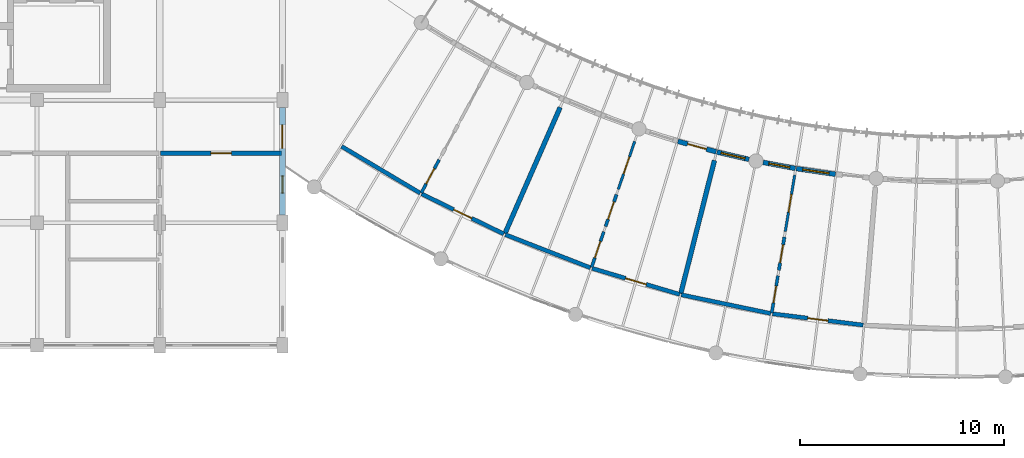
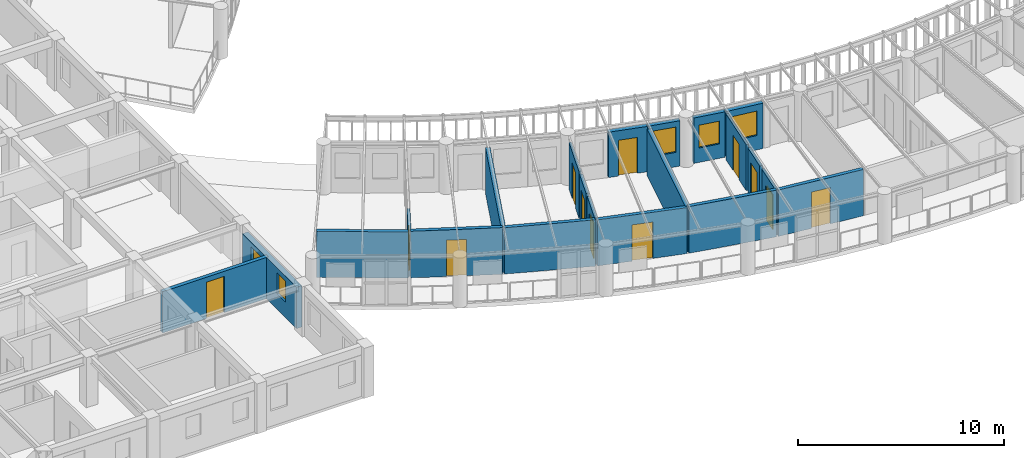
# One storey, part 57 of 100: 21 walls, 13 doors, 4 windows, 17 openings.
"""IFC4 building model written with IfcOpenShell, lengths in metres."""

from ifc_helpers import new_model, si_unit, direction, frame, frame_2d, origin, place, context, subcontext, project, spatial, rectangle, extrude, material, layer, layer_set, type_object, element, fill, save


model = new_model("IFC4")

# Units and contexts
model_context = context("Model", 3, precision=1e-05, world=origin(), true_north=direction((0.0, 1.0)))
body_context = subcontext(model_context, "Body", "Model", "MODEL_VIEW")
ifc_project = project(units=[si_unit("LENGTHUNIT", "METRE"), si_unit("AREAUNIT", "SQUARE_METRE"), si_unit("VOLUMEUNIT", "CUBIC_METRE"), si_unit("PLANEANGLEUNIT", "RADIAN"), si_unit("MASSUNIT", "GRAM", prefix="KILO"), si_unit("POWERUNIT", "WATT"), si_unit("THERMODYNAMICTEMPERATUREUNIT", "KELVIN")], contexts=[model_context])

# Site, building, storey
site_placement = place(None, origin())
site = spatial("IfcSite", under=ifc_project, at=site_placement, CompositionType="ELEMENT")
building_placement = place(site_placement, origin())
building = spatial("IfcBuilding", under=site, at=building_placement, Name="Ruvembo Vaulted Housing Court", CompositionType="ELEMENT")
storey_placement = place(building_placement, frame((0.0, 0.0, 10.89990234375)))
storey = spatial("IfcBuildingStorey", under=building, at=storey_placement, Name="L03", CompositionType="ELEMENT", Elevation=10.89990234375)

# Wall, opening, door
ifc_material_1 = material(Name="Concrete Blockwork 200", Category="masonry")
ifc_layer_1 = layer(ifc_material_1, 0.199951171875, Name="Concrete Blockwork 200")
ifc_layer_set_1 = layer_set([ifc_layer_1], Name="Concrete Blockwork 200")
wall_type_1 = type_object("IfcWallType", Name="WL-CORR-200", PredefinedType="SOLIDWALL", material=ifc_layer_set_1)
wall_1_placement = place(storey_placement, frame((30.0400390625, 15.39990234375, 0.0), z_axis=(0.0, 0.0, 1.0), x_axis=(1.0, 0.0, 0.0)))
wall_1 = element("IfcWall", 1, at=wall_1_placement, inside=storey, type_object=wall_type_1, Name="L03 Flat A-L03-S4 Entrance WL-INT-L03-00800", PredefinedType="SOLIDWALL", context=body_context, shape_type="SweptSolid", body=[
    extrude(rectangle(XDim=5.919921875, YDim=0.199951171875, at=frame_2d((2.9599609375, 0.0))), origin(), (0.0, 0.0, 1.0), 2.442138671875),
])
opening_1_placement = place(wall_1_placement, frame((2.4599609375, 0.0, 0.0)))
opening_1 = element("IfcOpeningElement", 2, at=opening_1_placement, cuts=wall_1, Name="Opening FD1", PredefinedType="OPENING", context=body_context, shape_type="SweptSolid", body=[
    extrude(rectangle(XDim=1.0, YDim=2.14990234375, at=frame_2d((0.5, 1.074951171875))), frame((0.0, 0.10986328125, 0.0), z_axis=(0.0, -1.0, 0.0), x_axis=(1.0, 0.0, 0.0)), (0.0, 0.0, 1.0), 0.219970703125),
])
ifc_material_2 = material(Name="FSC Hardwood and Engineered Timber", Category="wood")
door_type_1 = type_object("IfcDoorType", Name="DR-FLAT-1000x2150", OperationType="NOTDEFINED", PredefinedType="DOOR", material=ifc_material_2)
door_1_placement = place(opening_1_placement, origin())
door_1 = element("IfcDoor", 3, at=door_1_placement, inside=storey, type_object=door_type_1, Name="L03 Flat A-L03-S4 Entrance Door DR-INT-L03-00444", OperationType="SINGLE_SWING_RIGHT", OverallHeight=2.14990234375, OverallWidth=1.0, PredefinedType="DOOR", context=body_context, shape_type="SweptSolid", body=[
    extrude(rectangle(XDim=1.0, YDim=2.14990234375, at=frame_2d((0.5, 1.074951171875))), frame((0.0, 0.02490234375, 0.0), z_axis=(0.0, -1.0, 0.0), x_axis=(1.0, 0.0, 0.0)), (0.0, 0.0, 1.0), 0.050048828125),
])
fill(opening_1, door_1)

# Wall
wall_2_placement = place(storey_placement, frame((38.89697265625, 15.732666015625, 0.0), z_axis=(0.0, 0.0, 1.0), x_axis=(0.859614290038, -0.510943511909, 0.0)))
element("IfcWall", 4, at=wall_2_placement, inside=storey, type_object=wall_type_1, Name="L03 Suite SC2-L03-U1 Gallery Wall WL-INT-L03-01004", PredefinedType="SOLIDWALL", context=body_context, shape_type="SweptSolid", body=[
    extrude(rectangle(XDim=4.472900390625, YDim=0.199951171875, at=frame_2d((2.236328125, 0.0))), origin(), (0.0, 0.0, 1.0), 2.72216796875),
])

# Wall, opening, door
wall_3_placement = place(storey_placement, frame((42.8125, 13.4091796875, 0.0), z_axis=(0.0, 0.0, 1.0), x_axis=(0.898794149603, -0.438370934985, 0.0)))
wall_3 = element("IfcWall", 5, at=wall_3_placement, inside=storey, type_object=wall_type_1, Name="L03 Suite SC2-L03-U1 Entrance WL-INT-L03-01005", PredefinedType="SOLIDWALL", context=body_context, shape_type="SweptSolid", body=[
    extrude(rectangle(XDim=4.47265625, YDim=0.199951171875, at=frame_2d((2.236328125, 0.0))), origin(), (0.0, 0.0, 1.0), 2.76220703125),
])
opening_2_placement = place(wall_3_placement, frame((1.74658203125, 0.0, 0.0)))
opening_2 = element("IfcOpeningElement", 6, at=opening_2_placement, cuts=wall_3, Name="Opening FD2", PredefinedType="OPENING", context=body_context, shape_type="SweptSolid", body=[
    extrude(rectangle(XDim=0.97998046875, YDim=2.14990234375, at=frame_2d((0.489990234375, 1.074951171875))), frame((0.0, 0.10986328125, 0.0), z_axis=(0.0, -1.0, 0.0), x_axis=(1.0, 0.0, 0.0)), (0.0, 0.0, 1.0), 0.219970703125),
])
door_type_2 = type_object("IfcDoorType", Name="DR-FLAT-0980x2150", OperationType="NOTDEFINED", PredefinedType="DOOR", material=ifc_material_2)
door_2_placement = place(opening_2_placement, origin())
door_2 = element("IfcDoor", 7, at=door_2_placement, inside=storey, type_object=door_type_2, Name="L03 Suite SC2-L03-U1 Entrance Door DR-INT-L03-00556", OperationType="SINGLE_SWING_RIGHT", OverallHeight=2.14990234375, OverallWidth=0.97998046875, PredefinedType="DOOR", context=body_context, shape_type="SweptSolid", body=[
    extrude(rectangle(XDim=0.97998046875, YDim=2.14990234375, at=frame_2d((0.489990234375, 1.074951171875))), frame((0.0, 0.02490234375, 0.0), z_axis=(0.0, -1.0, 0.0), x_axis=(1.0, 0.0, 0.0)), (0.0, 0.0, 1.0), 0.050048828125),
])
fill(opening_2, door_2)

# Wall
wall_4_placement = place(storey_placement, frame((46.906005859375, 11.41650390625, 0.0), z_axis=(0.0, 0.0, 1.0), x_axis=(0.931847867525, -0.362849213571, 0.0)))
element("IfcWall", 8, at=wall_4_placement, inside=storey, type_object=wall_type_1, Name="L03 Suite SC2-L03-U2 Gallery Wall WL-INT-L03-01010", PredefinedType="SOLIDWALL", context=body_context, shape_type="SweptSolid", body=[
    extrude(rectangle(XDim=4.47314453125, YDim=0.199951171875, at=frame_2d((2.236572265625, 0.0))), origin(), (0.0, 0.0, 1.0), 2.7421875),
])

# Wall, opening, door
wall_5_placement = place(storey_placement, frame((51.14990234375, 9.767578125, 0.0), z_axis=(0.0, 0.0, 1.0), x_axis=(0.958602413557, -0.28474798107, 0.0)))
wall_5 = element("IfcWall", 9, at=wall_5_placement, inside=storey, type_object=wall_type_1, Name="L03 Suite SC2-L03-U2 Entrance WL-INT-L03-01011", PredefinedType="SOLIDWALL", context=body_context, shape_type="SweptSolid", body=[
    extrude(rectangle(XDim=4.472900390625, YDim=0.199951171875, at=frame_2d((2.236328125, 0.0))), origin(), (0.0, 0.0, 1.0), 2.72216796875),
])
opening_3_placement = place(wall_5_placement, frame((1.71142578125, 0.0, 0.0)))
opening_3 = element("IfcOpeningElement", 10, at=opening_3_placement, cuts=wall_5, Name="Opening FD3", PredefinedType="OPENING", context=body_context, shape_type="SweptSolid", body=[
    extrude(rectangle(XDim=1.050048828125, YDim=2.14990234375, at=frame_2d((0.52490234375, 1.074951171875))), frame((0.0, 0.10986328125, 0.0), z_axis=(0.0, -1.0, 0.0), x_axis=(1.0, 0.0, 0.0)), (0.0, 0.0, 1.0), 0.219970703125),
])
door_type_3 = type_object("IfcDoorType", Name="DR-FLAT-1050x2150", OperationType="NOTDEFINED", PredefinedType="DOOR", material=ifc_material_2)
door_3_placement = place(opening_3_placement, origin())
door_3 = element("IfcDoor", 11, at=door_3_placement, inside=storey, type_object=door_type_3, Name="L03 Suite SC2-L03-U2 Entrance Door DR-INT-L03-00560", OperationType="SINGLE_SWING_RIGHT", OverallHeight=2.14990234375, OverallWidth=1.050048828125, PredefinedType="DOOR", context=body_context, shape_type="SweptSolid", body=[
    extrude(rectangle(XDim=1.050048828125, YDim=2.14990234375, at=frame_2d((0.52490234375, 1.074951171875))), frame((0.0, 0.02490234375, 0.0), z_axis=(0.0, -1.0, 0.0), x_axis=(1.0, 0.0, 0.0)), (0.0, 0.0, 1.0), 0.050048828125),
])
fill(opening_3, door_3)

# Wall
wall_6_placement = place(storey_placement, frame((55.51513671875, 8.47412109375, 0.0), z_axis=(0.0, 0.0, 1.0), x_axis=(0.978806148413, -0.204788973894, 0.0)))
element("IfcWall", 12, at=wall_6_placement, inside=storey, type_object=wall_type_1, Name="L03 Suite SC2-L03-U3 Gallery Wall WL-INT-L03-01016", PredefinedType="SOLIDWALL", context=body_context, shape_type="SweptSolid", body=[
    extrude(rectangle(XDim=4.472900390625, YDim=0.199951171875, at=frame_2d((2.236328125, 0.0))), origin(), (0.0, 0.0, 1.0), 2.76220703125),
])

# Wall, opening, door
wall_7_placement = place(storey_placement, frame((59.97216796875, 7.544921875, 0.0), z_axis=(0.0, 0.0, 1.0), x_axis=(0.992349920368, -0.123457019023, 0.0)))
wall_7 = element("IfcWall", 13, at=wall_7_placement, inside=storey, type_object=wall_type_1, Name="L03 Suite SC2-L03-U3 Entrance WL-INT-L03-01017", PredefinedType="SOLIDWALL", context=body_context, shape_type="SweptSolid", body=[
    extrude(rectangle(XDim=4.47314453125, YDim=0.199951171875, at=frame_2d((2.236572265625, 0.0))), origin(), (0.0, 0.0, 1.0), 2.7421875),
])
opening_4_placement = place(wall_7_placement, frame((1.736572265625, 0.0, 0.0)))
opening_4 = element("IfcOpeningElement", 14, at=opening_4_placement, cuts=wall_7, Name="Opening FD1", PredefinedType="OPENING", context=body_context, shape_type="SweptSolid", body=[
    extrude(rectangle(XDim=1.0, YDim=2.14990234375, at=frame_2d((0.5, 1.074951171875))), frame((0.0, 0.10986328125, 0.0), z_axis=(0.0, -1.0, 0.0), x_axis=(1.0, 0.0, 0.0)), (0.0, 0.0, 1.0), 0.219970703125),
])
door_4_placement = place(opening_4_placement, origin())
door_4 = element("IfcDoor", 15, at=door_4_placement, inside=storey, type_object=door_type_1, Name="L03 Suite SC2-L03-U3 Entrance Door DR-INT-L03-00564", OperationType="SINGLE_SWING_RIGHT", OverallHeight=2.14990234375, OverallWidth=1.0, PredefinedType="DOOR", context=body_context, shape_type="SweptSolid", body=[
    extrude(rectangle(XDim=1.0, YDim=2.14990234375, at=frame_2d((0.5, 1.074951171875))), frame((0.0, 0.02490234375, 0.0), z_axis=(0.0, -1.0, 0.0), x_axis=(1.0, 0.0, 0.0)), (0.0, 0.0, 1.0), 0.050048828125),
])
fill(opening_4, door_4)

# Walls
ifc_material_3 = material(Name="Acoustic Masonry Demising 230", Category="masonry")
ifc_layer_2 = layer(ifc_material_3, 0.22998046875, Name="Acoustic Masonry Demising 230")
ifc_layer_set_2 = layer_set([ifc_layer_2], Name="Acoustic Masonry Demising 230")
wall_type_2 = type_object("IfcWallType", Name="WL-DEM-230", PredefinedType="SOLIDWALL", material=ifc_layer_set_2)
wall_8_placement = place(storey_placement, frame((49.585205078125, 17.638427734375, 0.0), z_axis=(0.0, 0.0, 1.0), x_axis=(-0.400932910895, -0.916107417807, 0.0)))
element("IfcWall", 16, at=wall_8_placement, inside=storey, type_object=wall_type_2, Name="L03 Suite SC2-L03-U1 Demising WL-INT-L03-01009", PredefinedType="SOLIDWALL", context=body_context, shape_type="SweptSolid", body=[
    extrude(rectangle(XDim=6.736083984375, YDim=0.22998046875, at=frame_2d((3.3681640625, 0.0))), origin(), (0.0, 0.0, 1.0), 2.72216796875),
])
wall_9_placement = place(storey_placement, frame((57.135986328125, 15.0517578125, 0.0), z_axis=(0.0, 0.0, 1.0), x_axis=(-0.244982481903, -0.969527505314, 0.0)))
element("IfcWall", 17, at=wall_9_placement, inside=storey, type_object=wall_type_2, Name="L03 Suite SC2-L03-U2 Demising WL-INT-L03-01015", PredefinedType="SOLIDWALL", context=body_context, shape_type="SweptSolid", body=[
    extrude(rectangle(XDim=6.73583984375, YDim=0.22998046875, at=frame_2d((3.367919921875, 0.0))), origin(), (0.0, 0.0, 1.0), 2.7421875),
])

# Wall, opening, door
ifc_material_4 = material(Name="Rendered Masonry 235", Category="masonry")
ifc_layer_3 = layer(ifc_material_4, 0.235107421875, Name="Rendered Masonry 235")
ifc_layer_set_3 = layer_set([ifc_layer_3], Name="Rendered Masonry 235")
wall_type_3 = type_object("IfcWallType", Name="WL-EXT-235", PredefinedType="STANDARD", material=ifc_layer_set_3)
wall_10_placement = place(storey_placement, frame((55.35009765625, 15.982177734375, 0.0), z_axis=(0.0, 0.0, 1.0), x_axis=(0.964271323293, -0.264916619098, 0.0)))
wall_10 = element("IfcWall", 18, at=wall_10_placement, inside=storey, type_object=wall_type_3, Name="Scoop SC2 L03 Concave Balcony Wall 7", PredefinedType="STANDARD", context=body_context, shape_type="SweptSolid", body=[
    extrude(rectangle(XDim=1.93994140625, YDim=0.235107421875, at=frame_2d((0.969970703125, 0.0))), origin(), (0.0, 0.0, 1.0), 2.68408203125),
])
opening_5_placement = place(wall_10_placement, frame((0.4951171875, 0.0, 0.0)))
opening_5 = element("IfcOpeningElement", 19, at=opening_5_placement, cuts=wall_10, Name="Opening BD0", PredefinedType="OPENING", context=body_context, shape_type="SweptSolid", body=[
    extrude(rectangle(XDim=0.949951171875, YDim=2.1201171875, at=frame_2d((0.47509765625, 1.06005859375))), frame((0.0, 0.12744140625, 0.0), z_axis=(0.0, -1.0, 0.0), x_axis=(1.0, 0.0, 0.0)), (0.0, 0.0, 1.0), 0.255126953125),
])
ifc_material_5 = material(Name="Thermally Broken Glazed Aluminium", Category="aluminium")
door_type_4 = type_object("IfcDoorType", Name="DR-BAL-0950x2120", OperationType="NOTDEFINED", PredefinedType="DOOR", material=ifc_material_5)
door_5_placement = place(opening_5_placement, origin())
door_5 = element("IfcDoor", 20, at=door_5_placement, inside=storey, type_object=door_type_4, Name="Scoop SC2 L03 Balcony Door 7", OperationType="SINGLE_SWING_LEFT", OverallHeight=2.1201171875, OverallWidth=0.949951171875, PredefinedType="DOOR", context=body_context, shape_type="SweptSolid", body=[
    extrude(rectangle(XDim=0.949951171875, YDim=2.1201171875, at=frame_2d((0.47509765625, 1.06005859375))), frame((0.0, 0.02490234375, 0.0), z_axis=(0.0, -1.0, 0.0), x_axis=(1.0, 0.0, 0.0)), (0.0, 0.0, 1.0), 0.050048828125),
])
fill(opening_5, door_5)

# Wall, opening, window
wall_11_placement = place(storey_placement, frame((57.259521484375, 15.45849609375, 0.0), z_axis=(0.0, 0.0, 1.0), x_axis=(0.974355406192, -0.225014538249, 0.0)))
wall_11 = element("IfcWall", 21, at=wall_11_placement, inside=storey, type_object=wall_type_3, Name="Scoop SC2 L03 Concave Balcony Wall 8", PredefinedType="STANDARD", context=body_context, shape_type="SweptSolid", body=[
    extrude(rectangle(XDim=1.610107421875, YDim=0.235107421875, at=frame_2d((0.80517578125, 0.0))), origin(), (0.0, 0.0, 1.0), 2.68408203125),
])
opening_6_placement = place(wall_11_placement, frame((0.205078125, 0.0, 0.85009765625)))
opening_6 = element("IfcOpeningElement", 22, at=opening_6_placement, cuts=wall_11, Name="Opening W14", PredefinedType="OPENING", context=body_context, shape_type="SweptSolid", body=[
    extrude(rectangle(XDim=1.199951171875, YDim=1.5, at=frame_2d((0.60009765625, 0.75))), frame((0.0, 0.12744140625, 0.0), z_axis=(0.0, -1.0, 0.0), x_axis=(1.0, 0.0, 0.0)), (0.0, 0.0, 1.0), 0.255126953125),
])
ifc_material_6 = material(Name="Double Solar-Control Glazing in Aluminium Frame", Category="aluminium")
window_type_1 = type_object("IfcWindowType", Name="WIN-1200x1500", PartitioningType="SINGLE_PANEL", PredefinedType="WINDOW", material=ifc_material_6)
window_1_placement = place(opening_6_placement, origin())
window_1 = element("IfcWindow", 23, at=window_1_placement, inside=storey, type_object=window_type_1, Name="Scoop SC2 L03 Concave Window 8", OverallHeight=1.5, OverallWidth=1.199951171875, PartitioningType="SINGLE_PANEL", PredefinedType="WINDOW", context=body_context, shape_type="SweptSolid", body=[
    extrude(rectangle(XDim=1.199951171875, YDim=1.5, at=frame_2d((0.60009765625, 0.75))), frame((0.0, 0.030029296875, 0.0), z_axis=(0.0, -1.0, 0.0), x_axis=(1.0, 0.0, 0.0)), (0.0, 0.0, 1.0), 0.06005859375),
])
fill(opening_6, window_1)

wall_12_placement = place(storey_placement, frame((59.51318359375, 14.952880859375, 0.0), z_axis=(0.0, 0.0, 1.0), x_axis=(0.982827529128, -0.184526550902, 0.0)))
wall_12 = element("IfcWall", 24, at=wall_12_placement, inside=storey, type_object=wall_type_3, Name="Scoop SC2 L03 Concave Balcony Wall 9", PredefinedType="STANDARD", context=body_context, shape_type="SweptSolid", body=[
    extrude(rectangle(XDim=1.610107421875, YDim=0.235107421875, at=frame_2d((0.80517578125, 0.0))), origin(), (0.0, 0.0, 1.0), 2.68408203125),
])
opening_7_placement = place(wall_12_placement, frame((0.280029296875, 0.0, 0.85009765625)))
opening_7 = element("IfcOpeningElement", 25, at=opening_7_placement, cuts=wall_12, Name="Opening W09", PredefinedType="OPENING", context=body_context, shape_type="SweptSolid", body=[
    extrude(rectangle(XDim=1.050048828125, YDim=1.35009765625, at=frame_2d((0.52490234375, 0.675048828125))), frame((0.0, 0.12744140625, 0.0), z_axis=(0.0, -1.0, 0.0), x_axis=(1.0, 0.0, 0.0)), (0.0, 0.0, 1.0), 0.255126953125),
])
window_type_2 = type_object("IfcWindowType", Name="WIN-1050x1350", PartitioningType="SINGLE_PANEL", PredefinedType="WINDOW", material=ifc_material_6)
window_2_placement = place(opening_7_placement, origin())
window_2 = element("IfcWindow", 26, at=window_2_placement, inside=storey, type_object=window_type_2, Name="Scoop SC2 L03 Concave Window 9", OverallHeight=1.35009765625, OverallWidth=1.050048828125, PartitioningType="SINGLE_PANEL", PredefinedType="WINDOW", context=body_context, shape_type="SweptSolid", body=[
    extrude(rectangle(XDim=1.050048828125, YDim=1.35009765625, at=frame_2d((0.52490234375, 0.675048828125))), frame((0.0, 0.030029296875, 0.0), z_axis=(0.0, -1.0, 0.0), x_axis=(1.0, 0.0, 0.0)), (0.0, 0.0, 1.0), 0.06005859375),
])
fill(opening_7, window_2)

wall_13_placement = place(storey_placement, frame((61.135009765625, 14.649169921875, 0.0), z_axis=(0.0, 0.0, 1.0), x_axis=(0.989601751146, -0.14383453733, 0.0)))
wall_13 = element("IfcWall", 27, at=wall_13_placement, inside=storey, type_object=wall_type_3, Name="Scoop SC2 L03 Concave Balcony Wall 10", PredefinedType="STANDARD", context=body_context, shape_type="SweptSolid", body=[
    extrude(rectangle(XDim=1.940185546875, YDim=0.235107421875, at=frame_2d((0.97021484375, 0.0))), origin(), (0.0, 0.0, 1.0), 2.68408203125),
])
opening_8_placement = place(wall_13_placement, frame((0.320068359375, 0.0, 0.85009765625)))
opening_8 = element("IfcOpeningElement", 28, at=opening_8_placement, cuts=wall_13, Name="Opening W15", PredefinedType="OPENING", context=body_context, shape_type="SweptSolid", body=[
    extrude(rectangle(XDim=1.300048828125, YDim=1.449951171875, at=frame_2d((0.64990234375, 0.72509765625))), frame((0.0, 0.12744140625, 0.0), z_axis=(0.0, -1.0, 0.0), x_axis=(1.0, 0.0, 0.0)), (0.0, 0.0, 1.0), 0.255126953125),
])
window_type_3 = type_object("IfcWindowType", Name="WIN-1300x1450", PartitioningType="SINGLE_PANEL", PredefinedType="WINDOW", material=ifc_material_6)
window_3_placement = place(opening_8_placement, origin())
window_3 = element("IfcWindow", 29, at=window_3_placement, inside=storey, type_object=window_type_3, Name="Scoop SC2 L03 Concave Window 10", OverallHeight=1.449951171875, OverallWidth=1.300048828125, PartitioningType="SINGLE_PANEL", PredefinedType="WINDOW", context=body_context, shape_type="SweptSolid", body=[
    extrude(rectangle(XDim=1.300048828125, YDim=1.449951171875, at=frame_2d((0.64990234375, 0.72509765625))), frame((0.0, 0.030029296875, 0.0), z_axis=(0.0, -1.0, 0.0), x_axis=(1.0, 0.0, 0.0)), (0.0, 0.0, 1.0), 0.06005859375),
])
fill(opening_8, window_3)

# Wall, openings, door, window
ifc_material_7 = material(Name="Rendered Masonry 300", Category="masonry")
ifc_layer_4 = layer(ifc_material_7, 0.300048828125, Name="Rendered Masonry 300")
ifc_layer_set_4 = layer_set([ifc_layer_4], Name="Rendered Masonry 300")
wall_type_4 = type_object("IfcWallType", Name="WL-EXT-300", PredefinedType="STANDARD", material=ifc_layer_set_4)
wall_14_placement = place(storey_placement, frame((36.0, 12.375, 0.0), z_axis=(0.0, 0.0, 1.0), x_axis=(0.0, 1.0, 0.0)))
wall_14 = element("IfcWall", 30, at=wall_14_placement, inside=storey, type_object=wall_type_4, Name="Block A L03 Exterior Wall EAST #2", PredefinedType="STANDARD", context=body_context, shape_type="SweptSolid", body=[
    extrude(rectangle(XDim=5.25, YDim=0.300048828125, at=frame_2d((2.625, 0.0))), origin(), (0.0, 0.0, 1.0), 2.442138671875),
])
opening_9_placement = place(wall_14_placement, frame((3.264892578125, 0.0, 0.0)))
opening_9 = element("IfcOpeningElement", 31, at=opening_9_placement, cuts=wall_14, Name="Opening GD1", PredefinedType="OPENING", context=body_context, shape_type="SweptSolid", body=[
    extrude(rectangle(XDim=1.14990234375, YDim=2.14990234375, at=frame_2d((0.574951171875, 1.074951171875))), frame((0.0, 0.159912109375, 0.0), z_axis=(0.0, -1.0, 0.0), x_axis=(1.0, 0.0, 0.0)), (0.0, 0.0, 1.0), 0.320068359375),
])
opening_10_placement = place(wall_14_placement, frame((1.0673828125, 0.0, 0.89990234375)))
opening_10 = element("IfcOpeningElement", 32, at=opening_10_placement, cuts=wall_14, Name="Opening W03", PredefinedType="OPENING", context=body_context, shape_type="SweptSolid", body=[
    extrude(rectangle(XDim=0.85009765625, YDim=1.25, at=frame_2d((0.425048828125, 0.625))), frame((0.0, 0.159912109375, 0.0), z_axis=(0.0, -1.0, 0.0), x_axis=(1.0, 0.0, 0.0)), (0.0, 0.0, 1.0), 0.320068359375),
])
door_type_5 = type_object("IfcDoorType", Name="DR-GAL-1150x2150", OperationType="NOTDEFINED", PredefinedType="DOOR", material=ifc_material_5)
door_6_placement = place(opening_9_placement, frame((1.14990234375, 0.0, 0.0), z_axis=(0.0, 0.0, 1.0), x_axis=(-1.0, 0.0, 0.0)))
door_6 = element("IfcDoor", 33, at=door_6_placement, inside=storey, type_object=door_type_5, Name="Block A L03 Terrace or Gallery Door DR-TER-A-L03-011", OperationType="SINGLE_SWING_RIGHT", OverallHeight=2.14990234375, OverallWidth=1.14990234375, PredefinedType="DOOR", context=body_context, shape_type="SweptSolid", body=[
    extrude(rectangle(XDim=1.14990234375, YDim=2.14990234375, at=frame_2d((0.574951171875, 1.074951171875))), frame((0.0, 0.02490234375, 0.0), z_axis=(0.0, -1.0, 0.0), x_axis=(1.0, 0.0, 0.0)), (0.0, 0.0, 1.0), 0.050048828125),
])
fill(opening_9, door_6)
window_type_4 = type_object("IfcWindowType", Name="WIN-0850x1250", PartitioningType="SINGLE_PANEL", PredefinedType="WINDOW", material=ifc_material_6)
window_4_placement = place(opening_10_placement, origin())
window_4 = element("IfcWindow", 34, at=window_4_placement, inside=storey, type_object=window_type_4, Name="Block A L03 Window #139", OverallHeight=1.25, OverallWidth=0.85009765625, PartitioningType="SINGLE_PANEL", PredefinedType="WINDOW", context=body_context, shape_type="SweptSolid", body=[
    extrude(rectangle(XDim=0.85009765625, YDim=1.25, at=frame_2d((0.425048828125, 0.625))), frame((0.0, 0.030029296875, 0.0), z_axis=(0.0, -1.0, 0.0), x_axis=(1.0, 0.0, 0.0)), (0.0, 0.0, 1.0), 0.06005859375),
])
fill(opening_10, window_4)

# Wall, opening, door
ifc_material_8 = material(Name="Plasterboard Stud Partition 125", Category="gypsum")
ifc_layer_5 = layer(ifc_material_8, 0.125, Name="Plasterboard Stud Partition 125")
ifc_layer_set_5 = layer_set([ifc_layer_5], Name="Plasterboard Stud Partition 125")
wall_type_5 = type_object("IfcWallType", Name="WL-PART-125", PredefinedType="PARTITIONING", material=ifc_layer_set_5)
wall_15_placement = place(storey_placement, frame((53.23486328125, 15.977294921875, 0.0), z_axis=(0.0, 0.0, 1.0), x_axis=(-0.324072633759, -0.946032202437, 0.0)))
wall_15 = element("IfcWall", 35, at=wall_15_placement, inside=storey, type_object=wall_type_5, Name="L03 Suite SC2-L03-U2 Bedroom WL-INT-L03-01012", PredefinedType="PARTITIONING", context=body_context, shape_type="SweptSolid", body=[
    extrude(rectangle(XDim=2.47998046875, YDim=0.125, at=frame_2d((1.239990234375, 0.0))), origin(), (0.0, 0.0, 1.0), 2.76220703125),
])
opening_11_placement = place(wall_15_placement, frame((0.800048828125, 0.0, 0.0)))
opening_11 = element("IfcOpeningElement", 36, at=opening_11_placement, cuts=wall_15, Name="Opening ID3", PredefinedType="OPENING", context=body_context, shape_type="SweptSolid", body=[
    extrude(rectangle(XDim=0.8798828125, YDim=2.10009765625, at=frame_2d((0.43994140625, 1.050048828125))), frame((0.0, 0.072509765625, 0.0), z_axis=(0.0, -1.0, 0.0), x_axis=(1.0, 0.0, 0.0)), (0.0, 0.0, 1.0), 0.14501953125),
])
door_type_6 = type_object("IfcDoorType", Name="DR-ROOM-0880x2100", OperationType="NOTDEFINED", PredefinedType="DOOR", material=ifc_material_2)
door_7_placement = place(opening_11_placement, origin())
door_7 = element("IfcDoor", 37, at=door_7_placement, inside=storey, type_object=door_type_6, Name="L03 Suite SC2-L03-U2 Bedroom Door DR-INT-L03-00561", OperationType="SINGLE_SWING_LEFT", OverallHeight=2.10009765625, OverallWidth=0.8798828125, PredefinedType="DOOR", context=body_context, shape_type="SweptSolid", body=[
    extrude(rectangle(XDim=0.8798828125, YDim=2.10009765625, at=frame_2d((0.43994140625, 1.050048828125))), frame((0.0, 0.02490234375, 0.0), z_axis=(0.0, -1.0, 0.0), x_axis=(1.0, 0.0, 0.0)), (0.0, 0.0, 1.0), 0.050048828125),
])
fill(opening_11, door_7)

wall_16_placement = place(storey_placement, frame((61.061279296875, 14.328369140625, 0.0), z_axis=(0.0, 0.0, 1.0), x_axis=(-0.164186889233, -0.986429250075, 0.0)))
wall_16 = element("IfcWall", 38, at=wall_16_placement, inside=storey, type_object=wall_type_5, Name="L03 Suite SC2-L03-U3 Bedroom WL-INT-L03-01018", PredefinedType="PARTITIONING", context=body_context, shape_type="SweptSolid", body=[
    extrude(rectangle(XDim=2.800048828125, YDim=0.125, at=frame_2d((1.39990234375, 0.0))), origin(), (0.0, 0.0, 1.0), 2.72216796875),
])
opening_12_placement = place(wall_16_placement, frame((0.9599609375, 0.0, 0.0)))
opening_12 = element("IfcOpeningElement", 39, at=opening_12_placement, cuts=wall_16, Name="Opening ID3", PredefinedType="OPENING", context=body_context, shape_type="SweptSolid", body=[
    extrude(rectangle(XDim=0.8798828125, YDim=2.10009765625, at=frame_2d((0.43994140625, 1.050048828125))), frame((0.0, 0.072509765625, 0.0), z_axis=(0.0, -1.0, 0.0), x_axis=(1.0, 0.0, 0.0)), (0.0, 0.0, 1.0), 0.14501953125),
])
door_8_placement = place(opening_12_placement, origin())
door_8 = element("IfcDoor", 40, at=door_8_placement, inside=storey, type_object=door_type_6, Name="L03 Suite SC2-L03-U3 Bedroom Door DR-INT-L03-00565", OperationType="SINGLE_SWING_LEFT", OverallHeight=2.10009765625, OverallWidth=0.8798828125, PredefinedType="DOOR", context=body_context, shape_type="SweptSolid", body=[
    extrude(rectangle(XDim=0.8798828125, YDim=2.10009765625, at=frame_2d((0.43994140625, 1.050048828125))), frame((0.0, 0.02490234375, 0.0), z_axis=(0.0, -1.0, 0.0), x_axis=(1.0, 0.0, 0.0)), (0.0, 0.0, 1.0), 0.050048828125),
])
fill(opening_12, door_8)

ifc_material_9 = material(Name="Moisture-Resistant Wet Partition 150", Category="gypsum")
ifc_layer_6 = layer(ifc_material_9, 0.14990234375, Name="Moisture-Resistant Wet Partition 150")
ifc_layer_set_6 = layer_set([ifc_layer_6], Name="Moisture-Resistant Wet Partition 150")
wall_type_6 = type_object("IfcWallType", Name="WL-PART-150", PredefinedType="PARTITIONING", material=ifc_layer_set_6)
wall_17_placement = place(storey_placement, frame((43.66943359375, 15.0810546875, 0.0), z_axis=(0.0, 0.0, 1.0), x_axis=(-0.475017414672, -0.879976395001, 0.0)))
wall_17 = element("IfcWall", 41, at=wall_17_placement, inside=storey, type_object=wall_type_6, Name="L03 Suite SC2-L03-U1 Bathroom WL-INT-L03-01008", PredefinedType="PARTITIONING", context=body_context, shape_type="SweptSolid", body=[
    extrude(rectangle(XDim=1.840087890625, YDim=0.14990234375, at=frame_2d((0.919921875, 0.0))), origin(), (0.0, 0.0, 1.0), 2.7421875),
])
opening_13_placement = place(wall_17_placement, frame((0.4951171875, 0.0, 0.0)))
opening_13 = element("IfcOpeningElement", 42, at=opening_13_placement, cuts=wall_17, Name="Opening ID2", PredefinedType="OPENING", context=body_context, shape_type="SweptSolid", body=[
    extrude(rectangle(XDim=0.85009765625, YDim=2.10009765625, at=frame_2d((0.425048828125, 1.050048828125))), frame((0.0, 0.0849609375, 0.0), z_axis=(0.0, -1.0, 0.0), x_axis=(1.0, 0.0, 0.0)), (0.0, 0.0, 1.0), 0.169921875),
])
door_type_7 = type_object("IfcDoorType", Name="DR-WET-0850x2100", OperationType="NOTDEFINED", PredefinedType="DOOR", material=ifc_material_2)
door_9_placement = place(opening_13_placement, origin())
door_9 = element("IfcDoor", 43, at=door_9_placement, inside=storey, type_object=door_type_7, Name="L03 Suite SC2-L03-U1 Bathroom Door DR-INT-L03-00559", OperationType="SINGLE_SWING_LEFT", OverallHeight=2.10009765625, OverallWidth=0.85009765625, PredefinedType="DOOR", context=body_context, shape_type="SweptSolid", body=[
    extrude(rectangle(XDim=0.85009765625, YDim=2.10009765625, at=frame_2d((0.425048828125, 1.050048828125))), frame((0.0, 0.02490234375, 0.0), z_axis=(0.0, -1.0, 0.0), x_axis=(1.0, 0.0, 0.0)), (0.0, 0.0, 1.0), 0.050048828125),
])
fill(opening_13, door_9)

wall_18_placement = place(storey_placement, frame((51.720703125, 11.5576171875, 0.0), z_axis=(0.0, 0.0, 1.0), x_axis=(-0.323978335312, -0.946064500046, 0.0)))
wall_18 = element("IfcWall", 44, at=wall_18_placement, inside=storey, type_object=wall_type_6, Name="L03 Suite SC2-L03-U2 Bathroom WL-INT-L03-01014", PredefinedType="PARTITIONING", context=body_context, shape_type="SweptSolid", body=[
    extrude(rectangle(XDim=1.84033203125, YDim=0.14990234375, at=frame_2d((0.920166015625, 0.0))), origin(), (0.0, 0.0, 1.0), 2.76220703125),
])
opening_14_placement = place(wall_18_placement, frame((0.4951171875, 0.0, 0.0)))
opening_14 = element("IfcOpeningElement", 45, at=opening_14_placement, cuts=wall_18, Name="Opening ID2", PredefinedType="OPENING", context=body_context, shape_type="SweptSolid", body=[
    extrude(rectangle(XDim=0.85009765625, YDim=2.10009765625, at=frame_2d((0.425048828125, 1.050048828125))), frame((0.0, 0.0849609375, 0.0), z_axis=(0.0, -1.0, 0.0), x_axis=(1.0, 0.0, 0.0)), (0.0, 0.0, 1.0), 0.169921875),
])
door_10_placement = place(opening_14_placement, origin())
door_10 = element("IfcDoor", 46, at=door_10_placement, inside=storey, type_object=door_type_7, Name="L03 Suite SC2-L03-U2 Bathroom Door DR-INT-L03-00563", OperationType="SINGLE_SWING_LEFT", OverallHeight=2.10009765625, OverallWidth=0.85009765625, PredefinedType="DOOR", context=body_context, shape_type="SweptSolid", body=[
    extrude(rectangle(XDim=0.85009765625, YDim=2.10009765625, at=frame_2d((0.425048828125, 1.050048828125))), frame((0.0, 0.02490234375, 0.0), z_axis=(0.0, -1.0, 0.0), x_axis=(1.0, 0.0, 0.0)), (0.0, 0.0, 1.0), 0.050048828125),
])
fill(opening_14, door_10)

wall_19_placement = place(storey_placement, frame((60.2412109375, 9.404296875, 0.0), z_axis=(0.0, 0.0, 1.0), x_axis=(-0.16414076901, -0.986436925479, 0.0)))
wall_19 = element("IfcWall", 47, at=wall_19_placement, inside=storey, type_object=wall_type_6, Name="L03 Suite SC2-L03-U3 Bathroom WL-INT-L03-01020", PredefinedType="PARTITIONING", context=body_context, shape_type="SweptSolid", body=[
    extrude(rectangle(XDim=1.83984375, YDim=0.14990234375, at=frame_2d((0.919921875, 0.0))), origin(), (0.0, 0.0, 1.0), 2.72216796875),
])
opening_15_placement = place(wall_19_placement, frame((0.510009765625, 0.0, 0.0)))
opening_15 = element("IfcOpeningElement", 48, at=opening_15_placement, cuts=wall_19, Name="Opening ID4", PredefinedType="OPENING", context=body_context, shape_type="SweptSolid", body=[
    extrude(rectangle(XDim=0.820068359375, YDim=2.080078125, at=frame_2d((0.41015625, 1.0400390625))), frame((0.0, 0.0849609375, 0.0), z_axis=(0.0, -1.0, 0.0), x_axis=(1.0, 0.0, 0.0)), (0.0, 0.0, 1.0), 0.169921875),
])
door_type_8 = type_object("IfcDoorType", Name="DR-WET-0820x2080", OperationType="NOTDEFINED", PredefinedType="DOOR", material=ifc_material_2)
door_11_placement = place(opening_15_placement, origin())
door_11 = element("IfcDoor", 49, at=door_11_placement, inside=storey, type_object=door_type_8, Name="L03 Suite SC2-L03-U3 Bathroom Door DR-INT-L03-00567", OperationType="SINGLE_SWING_LEFT", OverallHeight=2.080078125, OverallWidth=0.820068359375, PredefinedType="DOOR", context=body_context, shape_type="SweptSolid", body=[
    extrude(rectangle(XDim=0.820068359375, YDim=2.080078125, at=frame_2d((0.41015625, 1.0400390625))), frame((0.0, 0.02490234375, 0.0), z_axis=(0.0, -1.0, 0.0), x_axis=(1.0, 0.0, 0.0)), (0.0, 0.0, 1.0), 0.050048828125),
])
fill(opening_15, door_11)

ifc_material_10 = material(Name="Acoustic Service Chase Wall 160", Category="gypsum")
ifc_layer_7 = layer(ifc_material_10, 0.159912109375, Name="Acoustic Service Chase Wall 160")
ifc_layer_set_7 = layer_set([ifc_layer_7], Name="Acoustic Service Chase Wall 160")
wall_type_7 = type_object("IfcWallType", Name="WL-PLUMB-160", PredefinedType="PLUMBINGWALL", material=ifc_layer_set_7)
wall_20_placement = place(storey_placement, frame((52.343017578125, 13.373779296875, 0.0), z_axis=(0.0, 0.0, 1.0), x_axis=(-0.324127376206, -0.946013448104, 0.0)))
wall_20 = element("IfcWall", 50, at=wall_20_placement, inside=storey, type_object=wall_type_7, Name="L03 Suite SC2-L03-U2 Kitchen WL-INT-L03-01013", PredefinedType="PLUMBINGWALL", context=body_context, shape_type="SweptSolid", body=[
    extrude(rectangle(XDim=1.64794921875, YDim=0.159912109375, at=frame_2d((0.823974609375, 0.0))), origin(), (0.0, 0.0, 1.0), 2.76220703125),
])
opening_16_placement = place(wall_20_placement, frame((0.3740234375, 0.0, 0.0)))
opening_16 = element("IfcOpeningElement", 51, at=opening_16_placement, cuts=wall_20, Name="Opening ID1", PredefinedType="OPENING", context=body_context, shape_type="SweptSolid", body=[
    extrude(rectangle(XDim=0.89990234375, YDim=2.10009765625, at=frame_2d((0.449951171875, 1.050048828125))), frame((0.0, 0.08984375, 0.0), z_axis=(0.0, -1.0, 0.0), x_axis=(1.0, 0.0, 0.0)), (0.0, 0.0, 1.0), 0.179931640625),
])
door_type_9 = type_object("IfcDoorType", Name="DR-ROOM-0900x2100", OperationType="NOTDEFINED", PredefinedType="DOOR", material=ifc_material_2)
door_12_placement = place(opening_16_placement, origin())
door_12 = element("IfcDoor", 52, at=door_12_placement, inside=storey, type_object=door_type_9, Name="L03 Suite SC2-L03-U2 Kitchen Door DR-INT-L03-00562", OperationType="SINGLE_SWING_RIGHT", OverallHeight=2.10009765625, OverallWidth=0.89990234375, PredefinedType="DOOR", context=body_context, shape_type="SweptSolid", body=[
    extrude(rectangle(XDim=0.89990234375, YDim=2.10009765625, at=frame_2d((0.449951171875, 1.050048828125))), frame((0.0, 0.02490234375, 0.0), z_axis=(0.0, -1.0, 0.0), x_axis=(1.0, 0.0, 0.0)), (0.0, 0.0, 1.0), 0.050048828125),
])
fill(opening_16, door_12)

wall_21_placement = place(storey_placement, frame((60.556640625, 11.298095703125, 0.0), z_axis=(0.0, 0.0, 1.0), x_axis=(-0.164158726706, -0.986433937193, 0.0)))
wall_21 = element("IfcWall", 53, at=wall_21_placement, inside=storey, type_object=wall_type_7, Name="L03 Suite SC2-L03-U3 Kitchen WL-INT-L03-01019", PredefinedType="PLUMBINGWALL", context=body_context, shape_type="SweptSolid", body=[
    extrude(rectangle(XDim=1.64794921875, YDim=0.159912109375, at=frame_2d((0.823974609375, 0.0))), origin(), (0.0, 0.0, 1.0), 2.72216796875),
])
opening_17_placement = place(wall_21_placement, frame((0.373779296875, 0.0, 0.0)))
opening_17 = element("IfcOpeningElement", 54, at=opening_17_placement, cuts=wall_21, Name="Opening ID1", PredefinedType="OPENING", context=body_context, shape_type="SweptSolid", body=[
    extrude(rectangle(XDim=0.89990234375, YDim=2.10009765625, at=frame_2d((0.449951171875, 1.050048828125))), frame((0.0, 0.08984375, 0.0), z_axis=(0.0, -1.0, 0.0), x_axis=(1.0, 0.0, 0.0)), (0.0, 0.0, 1.0), 0.179931640625),
])
door_13_placement = place(opening_17_placement, origin())
door_13 = element("IfcDoor", 55, at=door_13_placement, inside=storey, type_object=door_type_9, Name="L03 Suite SC2-L03-U3 Kitchen Door DR-INT-L03-00566", OperationType="SINGLE_SWING_RIGHT", OverallHeight=2.10009765625, OverallWidth=0.89990234375, PredefinedType="DOOR", context=body_context, shape_type="SweptSolid", body=[
    extrude(rectangle(XDim=0.89990234375, YDim=2.10009765625, at=frame_2d((0.449951171875, 1.050048828125))), frame((0.0, 0.02490234375, 0.0), z_axis=(0.0, -1.0, 0.0), x_axis=(1.0, 0.0, 0.0)), (0.0, 0.0, 1.0), 0.050048828125),
])
fill(opening_17, door_13)

save(model, "model.ifc")
